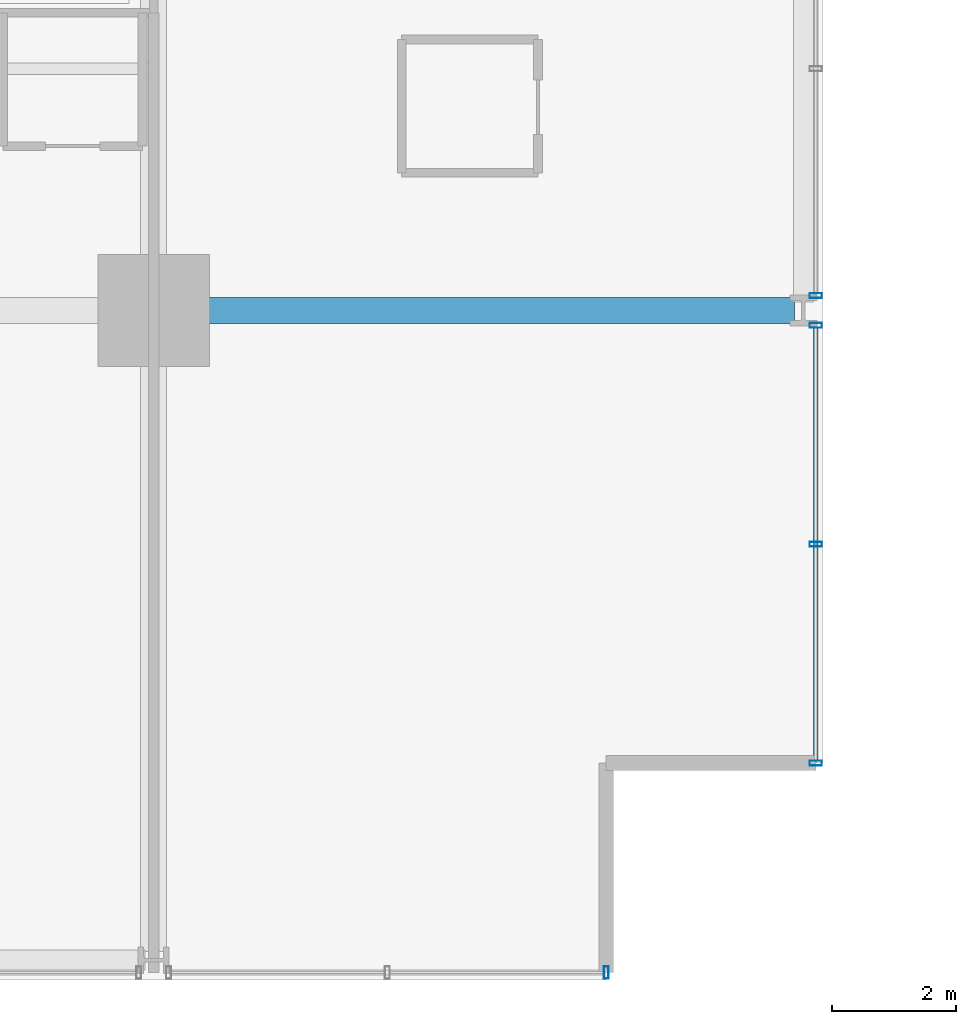
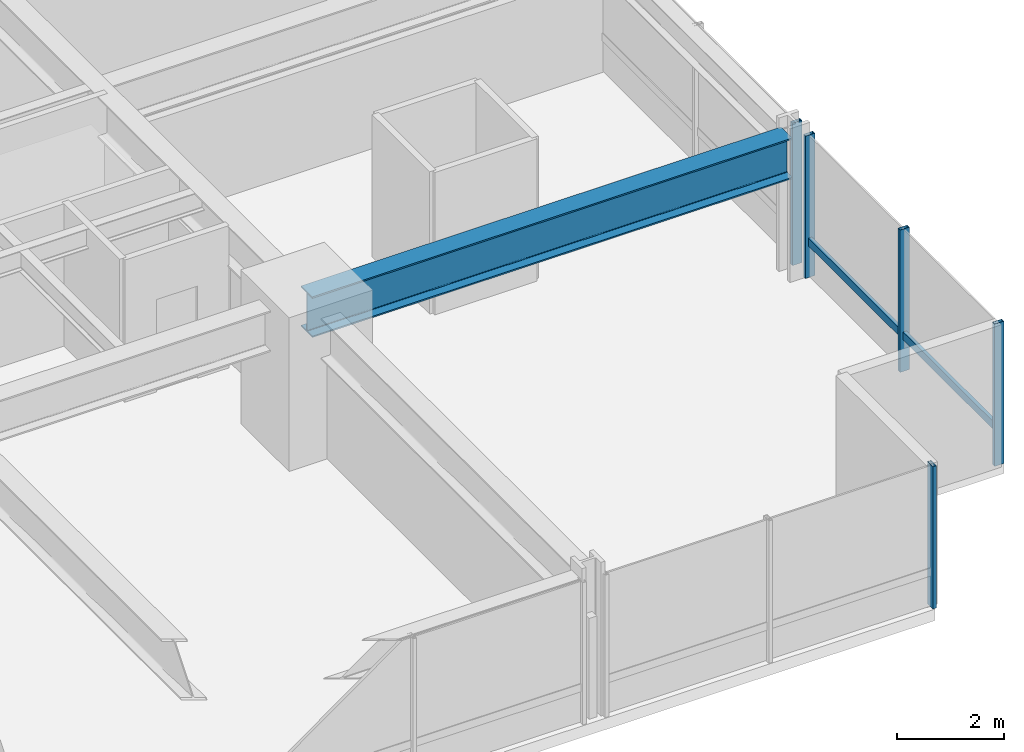
# One storey, part 13 of 38: 6 members, 1 beam, 3 elements without a shape of their own.
"""IFC4 building model written with IfcOpenShell, lengths in metres."""

from ifc_helpers import new_model, si_unit, direction, frame, origin, origin_2d, place, context, subcontext, project, spatial, hollow_rectangle, i_section, extrude, material, layer, layer_set, material_profile, profile_set, type_object, element, aggregate, save


model = new_model("IFC4")

# Units and contexts
model_context = context("Model", 3, precision=1e-05, world=origin(), true_north=direction((0.0, 1.0)))
body_context = subcontext(model_context, "Body", "Model", "MODEL_VIEW")
ifc_project = project(units=[si_unit("LENGTHUNIT", "METRE"), si_unit("AREAUNIT", "SQUARE_METRE"), si_unit("VOLUMEUNIT", "CUBIC_METRE"), si_unit("PLANEANGLEUNIT", "RADIAN"), si_unit("MASSUNIT", "GRAM", prefix="KILO")], contexts=[model_context])

# Site, building, storey
site_placement = place(None, origin())
site = spatial("IfcSite", under=ifc_project, at=site_placement, CompositionType="ELEMENT")
building_placement = place(site_placement, origin())
building = spatial("IfcBuilding", under=site, at=building_placement, Name="Drelvath Grand Hotel", CompositionType="ELEMENT")
storey_placement = place(building_placement, frame((0.0, 0.0, 50.699951171875)))
storey = spatial("IfcBuildingStorey", under=building, at=storey_placement, Name="L11", CompositionType="ELEMENT", Elevation=50.699951171875)

# Curtain wall, members
ifc_material_1 = material(Name="Warm Bronze Anodised Aluminium Frame", Category="aluminium")
ifc_layer = layer(ifc_material_1, 0.199951171875)
ifc_layer_set = layer_set([ifc_layer], Name="Warm Bronze Anodised Aluminium Frame")
curtain_wall_type = type_object("IfcCurtainWallType", Name="Stick Curtain Wall CW-02 Warm Bronze Low-Rise", PredefinedType="NOTDEFINED", material=ifc_layer_set)
curtain_wall_1_placement = place(storey_placement, origin())
curtain_wall_1 = element("IfcCurtainWall", 1, at=curtain_wall_1_placement, inside=storey, type_object=curtain_wall_type, Name="L11 CW-02 Curtain Wall CW02-L11-ES1", PredefinedType="NOTDEFINED")
ifc_material_profile_1 = material_profile(ifc_material_1, hollow_rectangle(XDim=0.074951171875, YDim=0.179931640625, WallThickness=0.0048828125, at=origin_2d()), Name="HSS180X75X5")
ifc_profile_set_1 = profile_set([ifc_material_profile_1], Name="Warm Bronze Anodised Aluminium Frame")
member_type_1 = type_object("IfcMemberType", Name="Curtain Wall Horizontal Transom CW-02 HSS180X75X5", PredefinedType="USERDEFINED", material=ifc_profile_set_1)
member_1_placement = place(storey_placement, frame((26.8798828125, 10.51904296875, 0.81005859375), z_axis=(0.0, -1.0, 0.0), x_axis=(1.0, 0.0, 0.0)))
member_1 = element("IfcMember", 2, at=member_1_placement, type_object=member_type_1, Name="CW02-L11-ES1 Sill Transom", ObjectType="TRANSOM", PredefinedType="USERDEFINED", context=body_context, shape_type="SweptSolid", body=[
    extrude(hollow_rectangle(XDim=0.074951171875, YDim=0.179931640625, WallThickness=0.0048828125, at=origin_2d()), origin(), (0.0, 0.0, 1.0), 6.97900390625),
])
ifc_material_profile_2 = material_profile(ifc_material_1, hollow_rectangle(XDim=0.080078125, YDim=0.199951171875, WallThickness=0.0048828125, at=origin_2d()), Name="HSS200X80X5")
ifc_profile_set_2 = profile_set([ifc_material_profile_2], Name="Warm Bronze Anodised Aluminium Frame")
member_type_2 = type_object("IfcMemberType", Name="Curtain Wall Vertical Mullion CW-02 HSS200X80X5", PredefinedType="MULLION", material=ifc_profile_set_2)
member_2_placement = place(storey_placement, frame((26.8798828125, 10.55908203125, 0.0), z_axis=(0.0, 0.0, 1.0), x_axis=(0.0, 1.0, 0.0)))
member_2 = element("IfcMember", 3, at=member_2_placement, type_object=member_type_2, Name="CW02-L11-ES1 Mullion 1", PredefinedType="MULLION", context=body_context, shape_type="SweptSolid", body=[
    extrude(hollow_rectangle(XDim=0.080078125, YDim=0.199951171875, WallThickness=0.0048828125, at=origin_2d()), origin(), (0.0, 0.0, 1.0), 3.239990234375),
])
member_3_placement = place(storey_placement, frame((26.8798828125, 7.029541015625, 0.0), z_axis=(0.0, 0.0, 1.0), x_axis=(0.0, 1.0, 0.0)))
member_3 = element("IfcMember", 4, at=member_3_placement, type_object=member_type_2, Name="CW02-L11-ES1 Mullion 2", PredefinedType="MULLION", context=body_context, shape_type="SweptSolid", body=[
    extrude(hollow_rectangle(XDim=0.080078125, YDim=0.199951171875, WallThickness=0.0048828125, at=origin_2d()), origin(), (0.0, 0.0, 1.0), 3.239990234375),
])
member_4_placement = place(storey_placement, frame((26.8798828125, 3.5, 0.0), z_axis=(0.0, 0.0, 1.0), x_axis=(0.0, 1.0, 0.0)))
member_4 = element("IfcMember", 5, at=member_4_placement, type_object=member_type_2, Name="CW02-L11-ES1 Mullion 3", PredefinedType="MULLION", context=body_context, shape_type="SweptSolid", body=[
    extrude(hollow_rectangle(XDim=0.080078125, YDim=0.199951171875, WallThickness=0.0048828125, at=origin_2d()), origin(), (0.0, 0.0, 1.0), 3.239990234375),
])
aggregate(curtain_wall_1, [member_2, member_3, member_4, member_1])

# Curtain wall, member
curtain_wall_2_placement = place(storey_placement, origin())
curtain_wall_2 = element("IfcCurtainWall", 6, at=curtain_wall_2_placement, inside=storey, type_object=curtain_wall_type, Name="L11 CW-02 Curtain Wall CW02-L11-ES2", PredefinedType="NOTDEFINED")
member_5_placement = place(storey_placement, frame((26.8798828125, 11.041015625, 0.0), z_axis=(0.0, 0.0, 1.0), x_axis=(0.0, 1.0, 0.0)))
member_5 = element("IfcMember", 7, at=member_5_placement, type_object=member_type_2, Name="CW02-L11-ES2 Mullion 3", PredefinedType="MULLION", context=body_context, shape_type="SweptSolid", body=[
    extrude(hollow_rectangle(XDim=0.080078125, YDim=0.199951171875, WallThickness=0.0048828125, at=origin_2d()), origin(), (0.0, 0.0, 1.0), 3.239990234375),
])
aggregate(curtain_wall_2, [member_5])

curtain_wall_3_placement = place(storey_placement, origin())
curtain_wall_3 = element("IfcCurtainWall", 8, at=curtain_wall_3_placement, inside=storey, type_object=curtain_wall_type, Name="L11 CW-02 Curtain Wall CW02-L11-SE3", PredefinedType="NOTDEFINED")
member_6_placement = place(storey_placement, frame((23.5, 0.1201171875, 0.0), z_axis=(0.0, 0.0, 1.0), x_axis=(1.0, 0.0, 0.0)))
member_6 = element("IfcMember", 9, at=member_6_placement, type_object=member_type_2, Name="CW02-L11-SE3 Mullion 1", PredefinedType="MULLION", context=body_context, shape_type="SweptSolid", body=[
    extrude(hollow_rectangle(XDim=0.080078125, YDim=0.199951171875, WallThickness=0.0048828125, at=origin_2d()), origin(), (0.0, 0.0, 1.0), 3.239990234375),
])
aggregate(curtain_wall_3, [member_6])

# Beam
ifc_material_2 = material(Name="Steel ASTM A992 Gr 50", Category="steel")
ifc_material_profile_3 = material_profile(ifc_material_2, i_section(OverallWidth=0.418212890625, OverallDepth=0.926513671875, WebThickness=0.019287109375, FlangeThickness=0.031982421875, FilletRadius=0.028076171875, at=origin_2d()), Name="W36X231")
ifc_profile_set_3 = profile_set([ifc_material_profile_3], Name="Steel ASTM A992 Gr 50")
beam_type = type_object("IfcBeamType", Name="Primary Floor Girder W36X231", PredefinedType="BEAM", material=ifc_profile_set_3)
beam_placement = place(storey_placement, frame((16.199951171875, 10.800048828125, 2.77685546875), z_axis=(1.0, 0.0, 0.0), x_axis=(0.0, 1.0, 0.0)))
element("IfcBeam", 10, at=beam_placement, inside=storey, type_object=beam_type, Name="L11 East Grid Girder C", PredefinedType="BEAM", context=body_context, shape_type="SweptSolid", body=[
    extrude(i_section(OverallWidth=0.418212890625, OverallDepth=0.926513671875, WebThickness=0.019287109375, FlangeThickness=0.031982421875, FilletRadius=0.028076171875, at=origin_2d()), origin(), (0.0, 0.0, 1.0), 10.340087890625),
])

save(model, "model.ifc")
